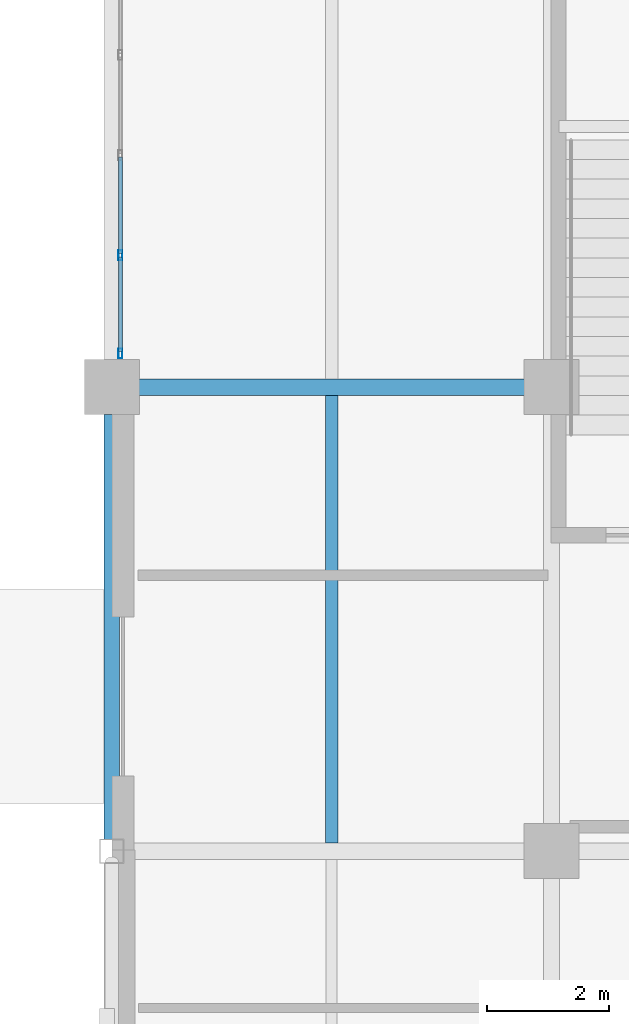
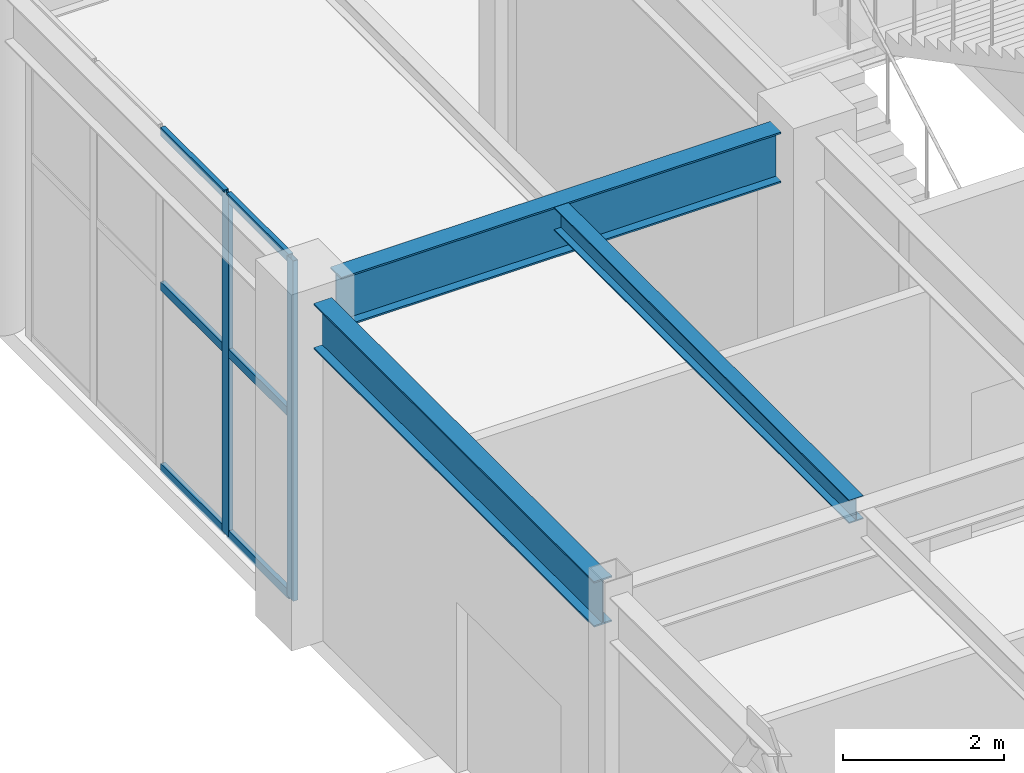
# One storey, part 40 of 139: 8 members, 3 beams, 1 element without a shape of its own.
"""IFC4 building model written with IfcOpenShell, lengths in metres."""

from ifc_helpers import new_model, si_unit, direction, frame, origin, origin_2d, place, context, subcontext, project, spatial, hollow_rectangle, i_section, extrude, material, layer, layer_set, material_profile, profile_set, type_object, element, aggregate, save


model = new_model("IFC4")

# Units and contexts
model_context = context("Model", 3, precision=1e-05, world=origin(), true_north=direction((0.0, 1.0)))
body_context = subcontext(model_context, "Body", "Model", "MODEL_VIEW")
ifc_project = project(units=[si_unit("LENGTHUNIT", "METRE"), si_unit("AREAUNIT", "SQUARE_METRE"), si_unit("VOLUMEUNIT", "CUBIC_METRE"), si_unit("PLANEANGLEUNIT", "RADIAN"), si_unit("MASSUNIT", "GRAM", prefix="KILO")], contexts=[model_context])

# Site, building, storey
site_placement = place(None, origin())
site = spatial("IfcSite", under=ifc_project, at=site_placement, CompositionType="ELEMENT")
building_placement = place(site_placement, origin())
building = spatial("IfcBuilding", under=site, at=building_placement, Name="Xicomal Pleat Aquarium", CompositionType="ELEMENT")
storey_placement = place(building_placement, origin())
storey = spatial("IfcBuildingStorey", under=building, at=storey_placement, Name="L01", CompositionType="ELEMENT", Elevation=0.0)

# Beams
ifc_material_1 = material(Name="Structural steel A992 Gr 50", Category="steel")
ifc_material_profile_1 = material_profile(ifc_material_1, i_section(OverallWidth=0.205078125, OverallDepth=0.35400390625, WebThickness=0.009521484375, FlangeThickness=0.016845703125, at=origin_2d()), Name="IR 360x79")
ifc_profile_set_1 = profile_set([ifc_material_profile_1], Name="Structural steel A992 Gr 50")
beam_type_1 = type_object("IfcBeamType", Name="BM-STL-IR360", PredefinedType="JOIST", material=ifc_profile_set_1)
beam_1_placement = place(storey_placement, frame((6.60009765625, 60.93701171875, 4.98291015625), z_axis=(0.0, 1.0, 0.0), x_axis=(-1.0, 0.0, 0.0)))
element("IfcBeam", 1, at=beam_1_placement, inside=storey, type_object=beam_type_1, Name="L01 framing beam FBJ-L01-01-J-1", PredefinedType="JOIST", context=body_context, shape_type="SweptSolid", body=[
    extrude(i_section(OverallWidth=0.205078125, OverallDepth=0.35400390625, WebThickness=0.009521484375, FlangeThickness=0.016845703125, at=origin_2d()), origin(), (0.0, 0.0, 1.0), 7.325927734375),
])
ifc_material_2 = material(Name="Structural steel A992 Gr 50", Category="steel")
ifc_material_profile_2 = material_profile(ifc_material_2, i_section(OverallWidth=0.256103515625, OverallDepth=0.693115234375, WebThickness=0.014404296875, FlangeThickness=0.023681640625, at=origin_2d()), Name="IR 690x170")
ifc_profile_set_2 = profile_set([ifc_material_profile_2], Name="Structural steel A992 Gr 50")
beam_type_2 = type_object("IfcBeamType", Name="BM-STL-IR690", PredefinedType="BEAM", material=ifc_profile_set_2)
beam_2_placement = place(storey_placement, frame((3.0, 60.9951171875, 4.8134765625), z_axis=(0.0, 1.0, 0.0), x_axis=(-1.0, 0.0, 0.0)))
element("IfcBeam", 2, at=beam_2_placement, inside=storey, type_object=beam_type_2, Name="L01 framing beam FGY-L01-01-J-K", PredefinedType="BEAM", context=body_context, shape_type="SweptSolid", body=[
    extrude(i_section(OverallWidth=0.256103515625, OverallDepth=0.693115234375, WebThickness=0.014404296875, FlangeThickness=0.023681640625, at=origin_2d()), origin(), (0.0, 0.0, 1.0), 6.9599609375),
])
ifc_material_3 = material(Name="Structural steel A992 Gr 50", Category="steel")
ifc_material_profile_3 = material_profile(ifc_material_3, i_section(OverallWidth=0.26806640625, OverallDepth=0.77001953125, WebThickness=0.015625, FlangeThickness=0.025390625, at=origin_2d()), Name="IR 760x196")
ifc_profile_set_3 = profile_set([ifc_material_profile_3], Name="Structural steel A992 Gr 50")
beam_type_3 = type_object("IfcBeamType", Name="BM-STL-IR760", PredefinedType="BEAM", material=ifc_profile_set_3)
beam_3_placement = place(storey_placement, frame((3.445068359375, 68.39990234375, 4.77490234375), z_axis=(1.0, 0.0, 0.0), x_axis=(0.0, 1.0, 0.0)))
element("IfcBeam", 3, at=beam_3_placement, inside=storey, type_object=beam_type_3, Name="L01 framing beam FGX-L01-01-02-K", PredefinedType="BEAM", context=body_context, shape_type="SweptSolid", body=[
    extrude(i_section(OverallWidth=0.26806640625, OverallDepth=0.77001953125, WebThickness=0.015625, FlangeThickness=0.025390625, at=origin_2d()), origin(), (0.0, 0.0, 1.0), 6.309814453125),
])

# Curtain wall, members
ifc_material_4 = material(Name="Bronze anodized aluminium 6063-T6", Category="aluminium")
ifc_layer = layer(ifc_material_4, 0.159912109375)
ifc_layer_set = layer_set([ifc_layer], Name="Bronze anodized aluminium 6063-T6")
curtain_wall_type = type_object("IfcCurtainWallType", Name="CW-SYS-01", PredefinedType="NOTDEFINED", material=ifc_layer_set)
curtain_wall_placement = place(storey_placement, origin())
curtain_wall = element("IfcCurtainWall", 4, at=curtain_wall_placement, inside=storey, type_object=curtain_wall_type, Name="L01 unitised curtain wall CW-L01-009", PredefinedType="NOTDEFINED")
ifc_material_5 = material(Name="Bronze anodized aluminium 6063-T6", Category="aluminium")
ifc_material_profile_4 = material_profile(ifc_material_5, hollow_rectangle(XDim=0.06494140625, YDim=0.159912109375, WallThickness=0.00390625, at=origin_2d()), Name="ALU MULL 65x160")
ifc_profile_set_4 = profile_set([ifc_material_profile_4], Name="Bronze anodized aluminium 6063-T6")
member_type_1 = type_object("IfcMemberType", Name="CWM-65x160", PredefinedType="MULLION", material=ifc_profile_set_4)
member_1_placement = place(storey_placement, frame((3.139892578125, 68.952392578125, 0.0), z_axis=(0.0, 0.0, 1.0), x_axis=(-1.0, 0.0, 0.0)))
member_1 = element("IfcMember", 5, at=member_1_placement, type_object=member_type_1, Name="CW-01 mullion 1", PredefinedType="MULLION", context=body_context, shape_type="SweptSolid", body=[
    extrude(hollow_rectangle(XDim=0.06494140625, YDim=0.159912109375, WallThickness=0.00390625, at=origin_2d()), origin(), (0.0, 0.0, 1.0), 5.159912109375),
])
member_2_placement = place(storey_placement, frame((3.139892578125, 70.56005859375, 0.0), z_axis=(0.0, 0.0, 1.0), x_axis=(-1.0, 0.0, 0.0)))
member_2 = element("IfcMember", 6, at=member_2_placement, type_object=member_type_1, Name="CW-01 mullion 2", PredefinedType="MULLION", context=body_context, shape_type="SweptSolid", body=[
    extrude(hollow_rectangle(XDim=0.06494140625, YDim=0.159912109375, WallThickness=0.00390625, at=origin_2d()), origin(), (0.0, 0.0, 1.0), 5.159912109375),
])
ifc_material_6 = material(Name="Bronze anodized aluminium 6063-T6", Category="aluminium")
ifc_material_profile_5 = material_profile(ifc_material_6, hollow_rectangle(XDim=0.06494140625, YDim=0.1298828125, WallThickness=0.00390625, at=origin_2d()), Name="ALU TRAN 65x130")
ifc_profile_set_5 = profile_set([ifc_material_profile_5], Name="Bronze anodized aluminium 6063-T6")
member_type_2 = type_object("IfcMemberType", Name="CWT-65x130", PredefinedType="USERDEFINED", material=ifc_profile_set_5)
member_3_placement = place(storey_placement, frame((3.139892578125, 68.985107421875, 0.032470703125), z_axis=(0.0, 1.0, 0.0), x_axis=(-1.0, 0.0, 0.0)))
member_3 = element("IfcMember", 7, at=member_3_placement, type_object=member_type_2, Name="CW-01 transom 1.1", ObjectType="TRANSOM", PredefinedType="USERDEFINED", context=body_context, shape_type="SweptSolid", body=[
    extrude(hollow_rectangle(XDim=0.06494140625, YDim=0.1298828125, WallThickness=0.00390625, at=origin_2d()), origin(), (0.0, 0.0, 1.0), 1.54248046875),
])
member_4_placement = place(storey_placement, frame((3.139892578125, 68.985107421875, 2.785888671875), z_axis=(0.0, 1.0, 0.0), x_axis=(-1.0, 0.0, 0.0)))
member_4 = element("IfcMember", 8, at=member_4_placement, type_object=member_type_2, Name="CW-01 transom 1.2", ObjectType="TRANSOM", PredefinedType="USERDEFINED", context=body_context, shape_type="SweptSolid", body=[
    extrude(hollow_rectangle(XDim=0.06494140625, YDim=0.1298828125, WallThickness=0.00390625, at=origin_2d()), origin(), (0.0, 0.0, 1.0), 1.54248046875),
])
member_5_placement = place(storey_placement, frame((3.139892578125, 68.985107421875, 5.12744140625), z_axis=(0.0, 1.0, 0.0), x_axis=(-1.0, 0.0, 0.0)))
member_5 = element("IfcMember", 9, at=member_5_placement, type_object=member_type_2, Name="CW-01 transom 1.3", ObjectType="TRANSOM", PredefinedType="USERDEFINED", context=body_context, shape_type="SweptSolid", body=[
    extrude(hollow_rectangle(XDim=0.06494140625, YDim=0.1298828125, WallThickness=0.00390625, at=origin_2d()), origin(), (0.0, 0.0, 1.0), 1.54248046875),
])
member_6_placement = place(storey_placement, frame((3.139892578125, 70.592529296875, 0.032470703125), z_axis=(0.0, 1.0, 0.0), x_axis=(-1.0, 0.0, 0.0)))
member_6 = element("IfcMember", 10, at=member_6_placement, type_object=member_type_2, Name="CW-01 transom 2.1", ObjectType="TRANSOM", PredefinedType="USERDEFINED", context=body_context, shape_type="SweptSolid", body=[
    extrude(hollow_rectangle(XDim=0.06494140625, YDim=0.1298828125, WallThickness=0.00390625, at=origin_2d()), origin(), (0.0, 0.0, 1.0), 1.574951171875),
])
member_7_placement = place(storey_placement, frame((3.139892578125, 70.592529296875, 2.785888671875), z_axis=(0.0, 1.0, 0.0), x_axis=(-1.0, 0.0, 0.0)))
member_7 = element("IfcMember", 11, at=member_7_placement, type_object=member_type_2, Name="CW-01 transom 2.2", ObjectType="TRANSOM", PredefinedType="USERDEFINED", context=body_context, shape_type="SweptSolid", body=[
    extrude(hollow_rectangle(XDim=0.06494140625, YDim=0.1298828125, WallThickness=0.00390625, at=origin_2d()), origin(), (0.0, 0.0, 1.0), 1.574951171875),
])
member_8_placement = place(storey_placement, frame((3.139892578125, 70.592529296875, 5.12744140625), z_axis=(0.0, 1.0, 0.0), x_axis=(-1.0, 0.0, 0.0)))
member_8 = element("IfcMember", 12, at=member_8_placement, type_object=member_type_2, Name="CW-01 transom 2.3", ObjectType="TRANSOM", PredefinedType="USERDEFINED", context=body_context, shape_type="SweptSolid", body=[
    extrude(hollow_rectangle(XDim=0.06494140625, YDim=0.1298828125, WallThickness=0.00390625, at=origin_2d()), origin(), (0.0, 0.0, 1.0), 1.574951171875),
])
aggregate(curtain_wall, [member_1, member_2, member_3, member_4, member_5, member_6, member_7, member_8])

save(model, "model.ifc")
